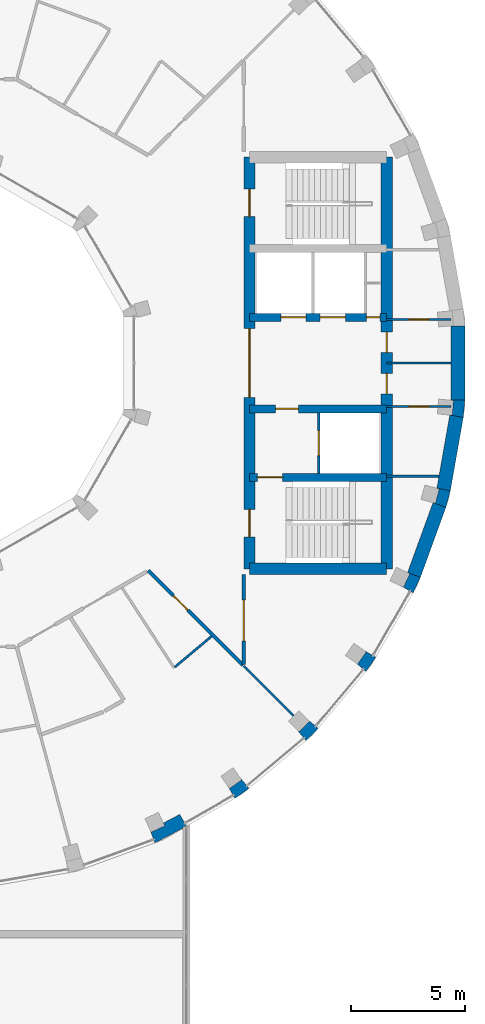
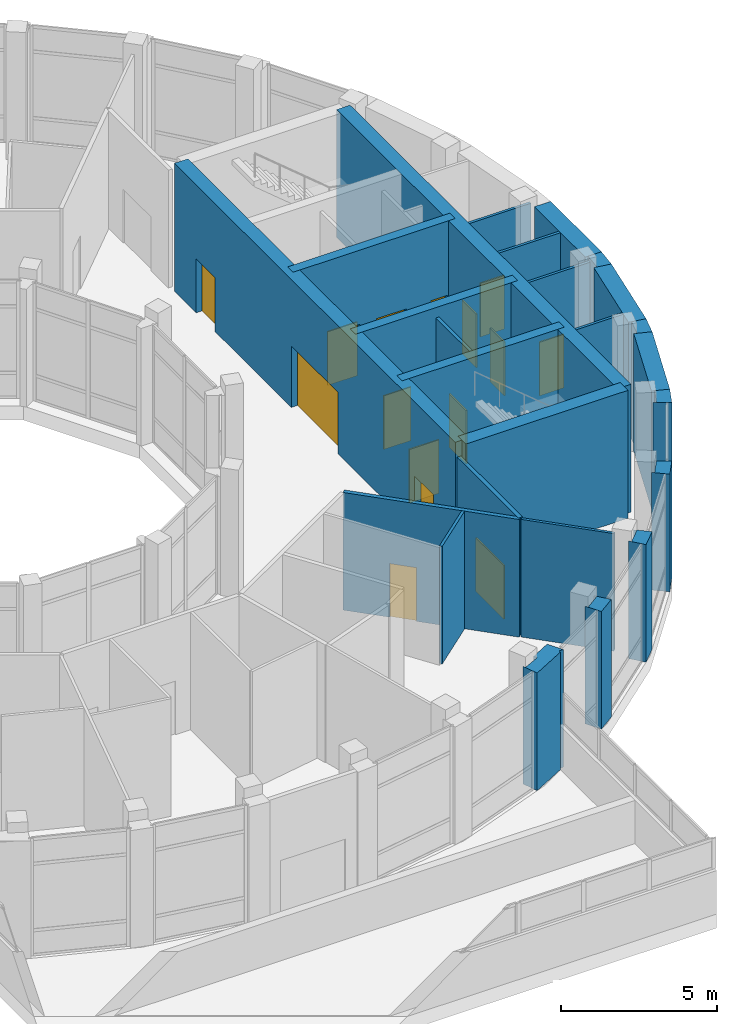
# One storey, part 15 of 19: 25 walls, 15 doors, 15 openings.
"""IFC4 building model written with IfcOpenShell, lengths in metres."""

import ifcopenshell
import ifcopenshell.guid

model = None  # the IFC model being written
_history = None  # IfcOwnerHistory: only IFC2X3 demands one
_inside = {}  # id of a spatial element -> (the spatial element, [elements in it])
_under = {}  # id of a project, library or spatial element -> (it, [spatial elements below it])
_declared = {}  # id of a project -> (the project, [libraries it declares])
_typed = {}  # id of a type object -> (the type object, [elements of that type])
_made_of = {}  # id of a material, layer set ... -> (it, [elements and type objects made of it])


def new_model(schema):
    """Start an empty IFC model of exactly this schema.

    Asked for "IFC4X3", IfcOpenShell would pick the latest addendum, in which some entities
    have other attributes; the version numbers below select the first issue.
    IFC2X3 requires an IfcOwnerHistory on every rooted entity: one is made here for all.
    """
    global model, _history
    if schema == "IFC4X3":
        model = ifcopenshell.file(schema_version=(4, 3, 0, 0))
    else:
        model = ifcopenshell.file(schema=schema)
    _inside.clear()
    _under.clear()
    _declared.clear()
    _typed.clear()
    _made_of.clear()
    _history = None
    if model.schema == "IFC2X3":
        org = make("IfcOrganization", Name="unknown")
        user = make(
            "IfcPersonAndOrganization",
            ThePerson=make("IfcPerson", FamilyName="unknown"),
            TheOrganization=org,
        )
        app = make(
            "IfcApplication",
            ApplicationDeveloper=org,
            Version="unknown",
            ApplicationFullName="unknown",
            ApplicationIdentifier="unknown",
        )
        _history = make(
            "IfcOwnerHistory",
            OwningUser=user,
            OwningApplication=app,
            ChangeAction="ADDED",
            CreationDate=0,
        )
    return model


def make(cls, **values):
    """One entity of the class cls with the attributes given. An attribute that is None is left unset."""
    return model.create_entity(
        cls, **{name: value for name, value in values.items() if value is not None}
    )


def rooted(cls, **values):
    """An entity with a GlobalId (a new one), such as an element, a storey or a relation."""
    return make(cls, GlobalId=ifcopenshell.guid.new(), OwnerHistory=_history, **values)


def si_unit(unit_type, name, prefix=None):
    """IfcSIUnit, for example si_unit("LENGTHUNIT", "METRE", prefix="MILLI")."""
    return make("IfcSIUnit", UnitType=unit_type, Prefix=prefix, Name=name)


def assignment(units):
    """IfcUnitAssignment: the units of a project."""
    return None if units is None else make("IfcUnitAssignment", Units=units)


def point(xyz):
    """IfcCartesianPoint."""
    return None if xyz is None else make("IfcCartesianPoint", Coordinates=xyz)


def direction(xyz):
    """IfcDirection."""
    return None if xyz is None else make("IfcDirection", DirectionRatios=xyz)


def frame(location, z_axis=None, x_axis=None):
    """IfcAxis2Placement3D, a coordinate frame: its origin and axes. An axis left out is left unset."""
    return make(
        "IfcAxis2Placement3D",
        Location=point(location),
        Axis=direction(z_axis),
        RefDirection=direction(x_axis),
    )


def frame_2d(location, x_axis=None):
    """IfcAxis2Placement2D, a coordinate frame in the plane: its origin and x axis."""
    return make(
        "IfcAxis2Placement2D", Location=point(location), RefDirection=direction(x_axis)
    )


def origin():
    """The frame at (0, 0, 0) with its axes left unset."""
    return frame((0.0, 0.0, 0.0))


def place(relative_to, where):
    """IfcLocalPlacement: puts the frame where relative to a parent placement (None: the world)."""
    return make(
        "IfcLocalPlacement", PlacementRelTo=relative_to, RelativePlacement=where
    )


def context(
    kind, dimensions, precision=None, world=None, true_north=None, identifier=None
):
    """IfcGeometricRepresentationContext, for example the 3D "Model" context."""
    return make(
        "IfcGeometricRepresentationContext",
        ContextIdentifier=identifier,
        ContextType=kind,
        CoordinateSpaceDimension=dimensions,
        Precision=precision,
        WorldCoordinateSystem=world,
        TrueNorth=true_north,
    )


def subcontext(parent, identifier, kind, view, scale=None):
    """IfcGeometricRepresentationSubContext, for example "Body" below "Model"."""
    return make(
        "IfcGeometricRepresentationSubContext",
        ContextIdentifier=identifier,
        ContextType=kind,
        ParentContext=parent,
        TargetScale=scale,
        TargetView=view,
    )


def project(units=None, contexts=None):
    """IfcProject with its units and contexts."""
    return rooted(
        "IfcProject",
        Name="project",
        RepresentationContexts=contexts,
        UnitsInContext=assignment(units),
    )


def spatial(cls, under=None, at=None, **own):
    """A site, building, storey or space (cls), placed at a placement, below another one or the project."""
    s = rooted(cls, ObjectPlacement=at, **own)
    if under is not None:
        _under.setdefault(under.id(), (under, []))[1].append(s)
    return s


def polyline(points):
    """IfcPolyline through the points."""
    return make("IfcPolyline", Points=[point(p) for p in points])


def profile(cls, at=None, kind="AREA", **sizes):
    """A parametric profile (cls). Its sizes go by their IFC names, for example OverallWidth=200.0."""
    return make(cls, ProfileType=kind, Position=at, **sizes)


def rectangle(**sizes):
    """IfcRectangleProfileDef."""
    return profile("IfcRectangleProfileDef", **sizes)


def outline(outer, holes=None, kind="AREA"):
    """IfcArbitraryClosedProfileDef: a profile drawn as a closed curve; with holes, ...WithVoids."""
    if holes is None:
        return make("IfcArbitraryClosedProfileDef", ProfileType=kind, OuterCurve=outer)
    return make(
        "IfcArbitraryProfileDefWithVoids",
        ProfileType=kind,
        OuterCurve=outer,
        InnerCurves=holes,
    )


def extrude(swept, where, along, depth):
    """IfcExtrudedAreaSolid: the profile swept, set in the frame where, extruded along a direction by depth."""
    return make(
        "IfcExtrudedAreaSolid",
        SweptArea=swept,
        Position=where,
        ExtrudedDirection=direction(along),
        Depth=depth,
    )


def shape(context_of_items, identifier, shape_type, items):
    """IfcShapeRepresentation: the items that make up one representation, for example the "Body"."""
    return make(
        "IfcShapeRepresentation",
        ContextOfItems=context_of_items,
        RepresentationIdentifier=identifier,
        RepresentationType=shape_type,
        Items=items,
    )


def material(Name=None, Category=None):
    """IfcMaterial."""
    return make("IfcMaterial", Name=Name, Category=Category)


def layer(
    of_material, thickness, ventilated=None, Name=None, Category=None, Priority=None
):
    """IfcMaterialLayer: one layer of a wall or slab, of a material (None: an air gap)."""
    return make(
        "IfcMaterialLayer",
        Material=of_material,
        LayerThickness=thickness,
        IsVentilated=ventilated,
        Name=Name,
        Category=Category,
        Priority=Priority,
    )


def layer_set(layers, Name=None):
    """IfcMaterialLayerSet."""
    return make("IfcMaterialLayerSet", MaterialLayers=layers, LayerSetName=Name)


def made_of(thing, what):
    """Note that an element or type object is made of a material, layer set ...; save() writes the relation."""
    if what is not None:
        _made_of.setdefault(what.id(), (what, []))[1].append(thing)
    return thing


def type_object(cls, material=None, **own):
    """A type object (cls), such as IfcWallType, which elements share."""
    return made_of(rooted(cls, **own), material)


def element(
    cls,
    number,
    at=None,
    inside=None,
    cuts=None,
    type_object=None,
    material=None,
    context=None,
    identifier="Body",
    shape_type=None,
    held_by="IfcProductDefinitionShape",
    body=None,
    shapes=None,
    **own,
):
    """One element of the class cls, such as IfcWall. Its Tag is "e" and its number.

    at: its placement. inside: the storey or other place that contains it. cuts: it is an
    opening in that element (IfcRelVoidsElement). A single representation is given by context,
    identifier, shape_type and body (its items); several are given by shapes. held_by: the class
    of the entity that holds the representations. save() writes the other relations.
    """
    e = rooted(cls, Tag="e%d" % number, ObjectPlacement=at, **own)
    if body is not None:
        shapes = [shape(context, identifier, shape_type, body)]
    if shapes is not None:
        e.Representation = make(held_by, Representations=shapes)
    if inside is not None:
        _inside.setdefault(inside.id(), (inside, []))[1].append(e)
    if cuts is not None:
        rooted(
            "IfcRelVoidsElement", RelatingBuildingElement=cuts, RelatedOpeningElement=e
        )
    if type_object is not None:
        _typed.setdefault(type_object.id(), (type_object, []))[1].append(e)
    return made_of(e, material)


def fill(opening, filler):
    """IfcRelFillsElement: the door or window that sits in an opening."""
    return rooted(
        "IfcRelFillsElement",
        RelatingOpeningElement=opening,
        RelatedBuildingElement=filler,
    )


def aggregate(whole, parts):
    """IfcRelAggregates: a whole, such as a stair, and the parts it consists of."""
    return rooted("IfcRelAggregates", RelatingObject=whole, RelatedObjects=parts)


def save(model, path):
    """Write the relations noted so far, then the file.

    IfcRelAggregates (storeys below a building ...), IfcRelContainedInSpatialStructure (elements
    in a storey), IfcRelDefinesByType, IfcRelAssociatesMaterial and IfcRelDeclares: one each for
    every whole, place, type object, material and project.
    """
    for whole, parts in _under.values():
        aggregate(whole, parts)
    for where, things in _inside.values():
        rooted(
            "IfcRelContainedInSpatialStructure",
            RelatedElements=things,
            RelatingStructure=where,
        )
    for kind, things in _typed.values():
        rooted("IfcRelDefinesByType", RelatedObjects=things, RelatingType=kind)
    for what, things in _made_of.values():
        rooted("IfcRelAssociatesMaterial", RelatedObjects=things, RelatingMaterial=what)
    for by, libraries in _declared.values():
        rooted("IfcRelDeclares", RelatingContext=by, RelatedDefinitions=libraries)
    model.write(path)


model = new_model("IFC4")

# Units and contexts
model_context = context("Model", 3, precision=1e-05, world=origin(), true_north=direction((0.0, 1.0)))
body_context = subcontext(model_context, "Body", "Model", "MODEL_VIEW")
ifc_project = project(units=[si_unit("LENGTHUNIT", "METRE"), si_unit("AREAUNIT", "SQUARE_METRE"), si_unit("VOLUMEUNIT", "CUBIC_METRE"), si_unit("PLANEANGLEUNIT", "RADIAN"), si_unit("MASSUNIT", "GRAM", prefix="KILO")], contexts=[model_context])

# Site, building, storey
site_placement = place(None, origin())
site = spatial("IfcSite", under=ifc_project, at=site_placement, CompositionType="ELEMENT")
building_placement = place(site_placement, origin())
building = spatial("IfcBuilding", under=site, at=building_placement, Name="Saqina Gate Tower", CompositionType="ELEMENT")
storey_placement = place(building_placement, frame((0.0, 0.0, 224.699951171875)))
storey = spatial("IfcBuildingStorey", under=building, at=storey_placement, Name="L64", CompositionType="ELEMENT", Elevation=224.699951171875)

# Walls
ifc_material_1 = material(Name="Brick masonry (buff)", Category="masonry")
wall_type_1 = type_object("IfcWallType", Name="BRICK PIER COPING BUFF", PredefinedType="SOLIDWALL", material=ifc_material_1)
wall_1_placement = place(storey_placement, origin())
element("IfcWall", 1, at=wall_1_placement, inside=storey, type_object=wall_type_1, Name="Pier cap L64 column 30", PredefinedType="SOLIDWALL", context=body_context, shape_type="SweptSolid", body=[
    extrude(outline(polyline([(9.1591796875, -20.410888671875), (9.3642578125, -20.974609375), (10.60009765625, -20.328857421875), (10.60009765625, -20.25048828125), (10.75, -20.25048828125), (10.449951171875, -19.73095703125), (9.73486328125, -20.107421875), (9.79296875, -20.23193359375), (9.203857421875, -20.506591796875), (9.1591796875, -20.410888671875)])), origin(), (0.0, 0.0, 1.0), 4.60009765625),
])
wall_2_placement = place(storey_placement, origin())
element("IfcWall", 2, at=wall_2_placement, inside=storey, type_object=wall_type_1, Name="Pier cap L64 column 31", PredefinedType="SOLIDWALL", context=body_context, shape_type="SweptSolid", body=[
    extrude(outline(polyline([(12.8642578125, -19.02978515625), (13.482421875, -18.59716796875), (13.0966796875, -18.137451171875), (13.157470703125, -18.22412109375), (12.625, -18.596923828125), (12.564208984375, -18.51025390625), (12.8642578125, -19.02978515625)])), origin(), (0.0, 0.0, 1.0), 4.60009765625),
])
wall_3_placement = place(storey_placement, origin())
element("IfcWall", 3, at=wall_3_placement, inside=storey, type_object=wall_type_1, Name="Pier cap L64 column 32", PredefinedType="SOLIDWALL", context=body_context, shape_type="SweptSolid", body=[
    extrude(outline(polyline([(16.5068359375, -15.973388671875), (16.04736328125, -15.587646484375), (16.1220703125, -15.662353515625), (15.662353515625, -16.1220703125), (15.587646484375, -16.04736328125), (15.973388671875, -16.5068359375), (16.5068359375, -15.973388671875)])), origin(), (0.0, 0.0, 1.0), 4.60009765625),
])
wall_4_placement = place(storey_placement, origin())
element("IfcWall", 4, at=wall_4_placement, inside=storey, type_object=wall_type_1, Name="Pier cap L64 column 33", PredefinedType="SOLIDWALL", context=body_context, shape_type="SweptSolid", body=[
    extrude(outline(polyline([(19.02978515625, -12.8642578125), (18.51025390625, -12.564208984375), (18.596923828125, -12.625), (18.22412109375, -13.157470703125), (18.137451171875, -13.0966796875), (18.59716796875, -13.482421875), (19.02978515625, -12.8642578125)])), origin(), (0.0, 0.0, 1.0), 4.60009765625),
])
wall_5_placement = place(storey_placement, origin())
element("IfcWall", 5, at=wall_5_placement, inside=storey, type_object=wall_type_1, Name="Pier cap L64 column 34", PredefinedType="SOLIDWALL", context=body_context, shape_type="SweptSolid", body=[
    extrude(outline(polyline([(20.65576171875, -10.048095703125), (20.974609375, -9.3642578125), (20.410888671875, -9.1591796875), (20.506591796875, -9.203857421875), (20.23193359375, -9.79296875), (20.135986328125, -9.748291015625), (20.65576171875, -10.048095703125)])), origin(), (0.0, 0.0, 1.0), 4.60009765625),
])
wall_6_placement = place(storey_placement, origin())
element("IfcWall", 6, at=wall_6_placement, inside=storey, type_object=wall_type_1, Name="Pier cap L64 column 35", PredefinedType="SOLIDWALL", context=body_context, shape_type="SweptSolid", body=[
    extrude(outline(polyline([(22.281982421875, -5.579833984375), (21.691162109375, -5.4755859375), (21.793212890625, -5.5029296875), (21.625, -6.130859375), (21.52294921875, -6.103515625), (22.0869140625, -6.30859375), (22.281982421875, -5.579833984375)])), origin(), (0.0, 0.0, 1.0), 4.60009765625),
])
wall_7_placement = place(storey_placement, origin())
element("IfcWall", 7, at=wall_7_placement, inside=storey, type_object=wall_type_1, Name="Pier cap L64 column 36", PredefinedType="SOLIDWALL", context=body_context, shape_type="SweptSolid", body=[
    extrude(outline(polyline([(22.8466796875, -2.377685546875), (22.91259765625, -1.625732421875), (22.3125, -1.625732421875), (22.417724609375, -1.635009765625), (22.361083984375, -2.28271484375), (22.255859375, -2.2734375), (22.8466796875, -2.377685546875)])), origin(), (0.0, 0.0, 1.0), 4.60009765625),
])

# Wall, opening, door
ifc_material_2 = material(Name="Gypsum board on steel studs", Category="steel")
ifc_layer_1 = layer(ifc_material_2, 0.10009765625)
ifc_layer_set_1 = layer_set([ifc_layer_1], Name="CORE PARTITION")
wall_type_2 = type_object("IfcWallType", Name="CORE PARTITION", PredefinedType="PARTITIONING", material=ifc_layer_set_1)
wall_8_placement = place(storey_placement, frame((19.5, 1.89990234375, 0.0), z_axis=(0.0, 0.0, 1.0), x_axis=(1.0, 0.0, 0.0)))
wall_8 = element("IfcWall", 8, at=wall_8_placement, inside=storey, type_object=wall_type_2, Name="L64-CP-E03", PredefinedType="PARTITIONING", context=body_context, shape_type="SweptSolid", body=[
    extrude(rectangle(XDim=2.8125, YDim=0.10009765625, at=frame_2d((1.40625, 0.0))), origin(), (0.0, 0.0, 1.0), 4.60009765625),
])
opening_1_placement = place(wall_8_placement, frame((0.956298828125, 0.0, 0.0)))
opening_1 = element("IfcOpeningElement", 9, at=opening_1_placement, cuts=wall_8, Name="Opening L64-D92", PredefinedType="OPENING", context=body_context, shape_type="SweptSolid", body=[
    extrude(rectangle(XDim=0.89990234375, YDim=2.10009765625, at=frame_2d((0.449951171875, 1.050048828125))), frame((0.0, 0.06201171875, 0.0), z_axis=(0.0, -1.0, 0.0), x_axis=(1.0, 0.0, 0.0)), (0.0, 0.0, 1.0), 0.1240234375),
])
ifc_material_3 = material(Name="Steel-framed fire door leaf, EI 60", Category="steel")
door_type_1 = type_object("IfcDoorType", Name="SERVICE ROOM DOOR 900", OperationType="SINGLE_SWING_LEFT", PredefinedType="DOOR", material=ifc_material_3)
door_1_placement = place(opening_1_placement, origin())
door_1 = element("IfcDoor", 10, at=door_1_placement, inside=storey, type_object=door_type_1, Name="L64-CD-E03", OperationType="SINGLE_SWING_RIGHT", OverallHeight=2.10009765625, OverallWidth=0.89990234375, PredefinedType="DOOR", context=body_context, shape_type="SweptSolid", body=[
    extrude(rectangle(XDim=0.89990234375, YDim=2.10009765625, at=frame_2d((0.449951171875, 1.050048828125))), frame((0.0, 0.02490234375, 0.0), z_axis=(0.0, -1.0, 0.0), x_axis=(1.0, 0.0, 0.0)), (0.0, 0.0, 1.0), 0.050048828125),
])
fill(opening_1, door_1)

# Wall
wall_9_placement = place(storey_placement, frame((19.5, -4.949951171875, 0.0), z_axis=(0.0, 0.0, 1.0), x_axis=(1.0, 0.0, 0.0)))
element("IfcWall", 11, at=wall_9_placement, inside=storey, type_object=wall_type_2, Name="L64-CP-E04", PredefinedType="PARTITIONING", context=body_context, shape_type="SweptSolid", body=[
    extrude(rectangle(XDim=2.283935546875, YDim=0.10009765625, at=frame_2d((1.14208984375, 0.0))), origin(), (0.0, 0.0, 1.0), 4.60009765625),
])

# Wall, opening, door
wall_10_placement = place(storey_placement, frame((19.5, -1.89990234375, 0.0), z_axis=(0.0, 0.0, 1.0), x_axis=(1.0, 0.0, 0.0)))
wall_10 = element("IfcWall", 12, at=wall_10_placement, inside=storey, type_object=wall_type_2, Name="L64-CP-E05", PredefinedType="PARTITIONING", context=body_context, shape_type="SweptSolid", body=[
    extrude(rectangle(XDim=2.8125, YDim=0.10009765625, at=frame_2d((1.40625, 0.0))), origin(), (0.0, 0.0, 1.0), 4.60009765625),
])
opening_2_placement = place(wall_10_placement, frame((0.956298828125, 0.0, 0.0)))
opening_2 = element("IfcOpeningElement", 13, at=opening_2_placement, cuts=wall_10, Name="Opening L64-D94", PredefinedType="OPENING", context=body_context, shape_type="SweptSolid", body=[
    extrude(rectangle(XDim=0.89990234375, YDim=2.10009765625, at=frame_2d((0.449951171875, 1.050048828125))), frame((0.0, 0.06201171875, 0.0), z_axis=(0.0, -1.0, 0.0), x_axis=(1.0, 0.0, 0.0)), (0.0, 0.0, 1.0), 0.1240234375),
])
door_2_placement = place(opening_2_placement, frame((0.89990234375, 0.0, 0.0), z_axis=(0.0, 0.0, 1.0), x_axis=(-1.0, 0.0, 0.0)))
door_2 = element("IfcDoor", 14, at=door_2_placement, inside=storey, type_object=door_type_1, Name="L64-CD-E05", OperationType="SINGLE_SWING_LEFT", OverallHeight=2.10009765625, OverallWidth=0.89990234375, PredefinedType="DOOR", context=body_context, shape_type="SweptSolid", body=[
    extrude(rectangle(XDim=0.89990234375, YDim=2.10009765625, at=frame_2d((0.449951171875, 1.050048828125))), frame((0.0, 0.02490234375, 0.0), z_axis=(0.0, -1.0, 0.0), x_axis=(1.0, 0.0, 0.0)), (0.0, 0.0, 1.0), 0.050048828125),
])
fill(opening_2, door_2)

# Walls
wall_11_placement = place(storey_placement, frame((19.5, 0.0, 0.0), z_axis=(0.0, 0.0, 1.0), x_axis=(1.0, 0.0, 0.0)))
element("IfcWall", 15, at=wall_11_placement, inside=storey, type_object=wall_type_2, Name="L64-CP-E06", PredefinedType="PARTITIONING", context=body_context, shape_type="SweptSolid", body=[
    extrude(rectangle(XDim=2.8125, YDim=0.10009765625, at=frame_2d((1.40625, 0.0))), origin(), (0.0, 0.0, 1.0), 4.60009765625),
])
ifc_material_4 = material(Name="Glazed ceramic tile", Category="ceramic")
ifc_layer_2 = layer(ifc_material_4, 0.60009765625)
ifc_layer_set_2 = layer_set([ifc_layer_2], Name="FW-TILE")
wall_type_3 = type_object("IfcWallType", Name="FW-TILE", PredefinedType="SOLIDWALL", material=ifc_layer_set_2)
wall_12_placement = place(storey_placement, frame((21.986572265625, -5.52783203125, 0.0), z_axis=(0.0, 0.0, 1.0), x_axis=(0.173656842178, 0.984806225186, 0.0)))
element("IfcWall", 16, at=wall_12_placement, inside=storey, type_object=wall_type_3, Name="Facade wall L64 facet 35", PredefinedType="SOLIDWALL", context=body_context, shape_type="SweptSolid", body=[
    extrude(rectangle(XDim=3.251708984375, YDim=0.60009765625, at=frame_2d((1.6259765625, 0.0))), origin(), (0.0, 0.0, 1.0), 4.60009765625),
])
ifc_material_5 = material(Name="Glazed ceramic tile (dark blue)", Category="ceramic")
ifc_layer_3 = layer(ifc_material_5, 0.60009765625)
ifc_layer_set_3 = layer_set([ifc_layer_3], Name="FW-TILE-CB")
wall_type_4 = type_object("IfcWallType", Name="FW-TILE-CB", PredefinedType="SOLIDWALL", material=ifc_layer_set_3)
wall_13_placement = place(storey_placement, frame((20.692626953125, -9.26171875, 0.0), z_axis=(0.0, 0.0, 1.0), x_axis=(0.342056509473, 0.939679383794, 0.0)))
element("IfcWall", 17, at=wall_13_placement, inside=storey, type_object=wall_type_4, Name="Facade wall L64 facet 34", PredefinedType="SOLIDWALL", context=body_context, shape_type="SweptSolid", body=[
    extrude(rectangle(XDim=3.251708984375, YDim=0.60009765625, at=frame_2d((1.6259765625, 0.0))), origin(), (0.0, 0.0, 1.0), 4.60009765625),
])
ifc_material_6 = material(Name="Glazed ceramic tile (white)", Category="ceramic")
ifc_layer_4 = layer(ifc_material_6, 0.60009765625)
ifc_layer_set_4 = layer_set([ifc_layer_4], Name="FW-TILE-WH")
wall_type_5 = type_object("IfcWallType", Name="FW-TILE-WH", PredefinedType="SOLIDWALL", material=ifc_layer_set_4)
wall_14_placement = place(storey_placement, frame((22.612548828125, -1.625732421875, 0.0), z_axis=(0.0, 0.0, 1.0), x_axis=(0.0, 1.0, 0.0)))
element("IfcWall", 18, at=wall_14_placement, inside=storey, type_object=wall_type_5, Name="Facade wall L64 facet 36", PredefinedType="SOLIDWALL", context=body_context, shape_type="SweptSolid", body=[
    extrude(rectangle(XDim=3.25146484375, YDim=0.60009765625, at=frame_2d((1.625732421875, 0.0))), origin(), (0.0, 0.0, 1.0), 4.60009765625),
])

# Wall, opening, door
ifc_material_7 = material(Name="Autoclaved aerated concrete block", Category="concrete")
ifc_layer_5 = layer(ifc_material_7, 0.1201171875)
ifc_layer_set_5 = layer_set([ifc_layer_5], Name="SHAFT PARTITION")
wall_type_6 = type_object("IfcWallType", Name="SHAFT PARTITION", PredefinedType="PARTITIONING", material=ifc_layer_set_5)
wall_15_placement = place(storey_placement, frame((16.530029296875, -4.824951171875, 0.0), z_axis=(0.0, 0.0, 1.0), x_axis=(0.0, 1.0, 0.0)))
wall_15 = element("IfcWall", 19, at=wall_15_placement, inside=storey, type_object=wall_type_6, Name="L64-CP-E09", PredefinedType="PARTITIONING", context=body_context, shape_type="SweptSolid", body=[
    extrude(rectangle(XDim=2.64990234375, YDim=0.1201171875, at=frame_2d((1.324951171875, 0.0))), origin(), (0.0, 0.0, 1.0), 4.60009765625),
])
opening_3_placement = place(wall_15_placement, frame((0.77490234375, 0.0, 0.0)))
opening_3 = element("IfcOpeningElement", 20, at=opening_3_placement, cuts=wall_15, Name="Opening L64-LD3", PredefinedType="OPENING", context=body_context, shape_type="SweptSolid", body=[
    extrude(rectangle(XDim=1.10009765625, YDim=2.10009765625, at=frame_2d((0.550048828125, 1.050048828125))), frame((0.0, 0.072021484375, 0.0), z_axis=(0.0, -1.0, 0.0), x_axis=(1.0, 0.0, 0.0)), (0.0, 0.0, 1.0), 0.14404296875),
])
ifc_material_8 = material(Name="Stainless steel", Category="steel")
door_type_2 = type_object("IfcDoorType", Name="LANDING DOOR", OperationType="DOUBLE_DOOR_SLIDING", PredefinedType="DOOR", material=ifc_material_8)
door_3_placement = place(opening_3_placement, origin())
door_3 = element("IfcDoor", 21, at=door_3_placement, inside=storey, type_object=door_type_2, Name="LANDING DOOR FF1", OperationType="DOUBLE_DOOR_SLIDING", OverallHeight=2.10009765625, OverallWidth=1.10009765625, PredefinedType="DOOR", context=body_context, shape_type="SweptSolid", body=[
    extrude(rectangle(XDim=1.10009765625, YDim=2.10009765625, at=frame_2d((0.550048828125, 1.050048828125))), frame((0.0, 0.02490234375, 0.0), z_axis=(0.0, -1.0, 0.0), x_axis=(1.0, 0.0, 0.0)), (0.0, 0.0, 1.0), 0.050048828125),
])
fill(opening_3, door_3)

# Walls
ifc_material_9 = material(Name="Gypsum board on steel studs, 100 mm", Category="steel")
ifc_layer_6 = layer(ifc_material_9, 0.10009765625)
ifc_layer_set_6 = layer_set([ifc_layer_6], Name="SPECIAL PARTITION 100")
wall_type_7 = type_object("IfcWallType", Name="SPECIAL PARTITION 100", PredefinedType="PARTITIONING", material=ifc_layer_set_6)
wall_16_placement = place(storey_placement, frame((13.25, -13.25, 0.0), z_axis=(0.0, 0.0, 1.0), x_axis=(0.707106781187, -0.707106781187, 0.0)))
element("IfcWall", 22, at=wall_16_placement, inside=storey, type_object=wall_type_7, Name="PARTITION 009", PredefinedType="PARTITIONING", context=body_context, shape_type="SweptSolid", body=[
    extrude(rectangle(XDim=3.07666015625, YDim=0.10009765625, at=frame_2d((1.538330078125, 0.0))), origin(), (0.0, 0.0, 1.0), 4.60009765625),
])
wall_17_placement = place(storey_placement, frame((10.2392578125, -13.289794921875, 0.0), z_axis=(0.0, 0.0, 1.0), x_axis=(0.766082082368, 0.642742750308, 0.0)))
element("IfcWall", 23, at=wall_17_placement, inside=storey, type_object=wall_type_7, Name="PARTITION 032", PredefinedType="PARTITIONING", context=body_context, shape_type="SweptSolid", body=[
    extrude(rectangle(XDim=2.09033203125, YDim=0.10009765625, at=frame_2d((1.045166015625, 0.0))), origin(), (0.0, 0.0, 1.0), 4.60009765625),
])

# Wall, opening, door
ifc_material_10 = material(Name="Gypsum board on steel studs, 150 mm, fire rated", Category="steel")
ifc_layer_7 = layer(ifc_material_10, 0.14990234375)
ifc_layer_set_7 = layer_set([ifc_layer_7], Name="SPECIAL PARTITION EI 30 150")
wall_type_8 = type_object("IfcWallType", Name="SPECIAL PARTITION EI 30 150", PredefinedType="PARTITIONING", material=ifc_layer_set_7)
wall_18_placement = place(storey_placement, frame((9.076904296875, -9.076904296875, 0.0), z_axis=(0.0, 0.0, 1.0), x_axis=(0.707106781187, -0.707106781187, 0.0)))
wall_18 = element("IfcWall", 24, at=wall_18_placement, inside=storey, type_object=wall_type_8, Name="PARTITION 011", PredefinedType="PARTITIONING", context=body_context, shape_type="SweptSolid", body=[
    extrude(rectangle(XDim=5.8515625, YDim=0.14990234375, at=frame_2d((2.92578125, 0.0))), origin(), (0.0, 0.0, 1.0), 4.60009765625),
])
opening_4_placement = place(wall_18_placement, frame((1.544677734375, 0.0, 0.0)))
opening_4 = element("IfcOpeningElement", 25, at=opening_4_placement, cuts=wall_18, Name="Opening L64-D21", PredefinedType="OPENING", context=body_context, shape_type="SweptSolid", body=[
    extrude(rectangle(XDim=0.89990234375, YDim=2.10009765625, at=frame_2d((0.449951171875, 1.050048828125))), frame((0.0, 0.0869140625, 0.0), z_axis=(0.0, -1.0, 0.0), x_axis=(1.0, 0.0, 0.0)), (0.0, 0.0, 1.0), 0.173828125),
])
ifc_material_11 = material(Name="Steel-framed fire door leaf, EI 30", Category="steel")
door_type_3 = type_object("IfcDoorType", Name="SPECIAL DOOR 900 FIRE EI 30", OperationType="SINGLE_SWING_LEFT", PredefinedType="DOOR", material=ifc_material_11)
door_4_placement = place(opening_4_placement, frame((0.89990234375, 0.0, 0.0), z_axis=(0.0, 0.0, 1.0), x_axis=(-1.0, 0.0, 0.0)))
door_4 = element("IfcDoor", 26, at=door_4_placement, inside=storey, type_object=door_type_3, Name="DOOR L64-D21", OperationType="SINGLE_SWING_RIGHT", OverallHeight=2.10009765625, OverallWidth=0.89990234375, PredefinedType="DOOR", context=body_context, shape_type="SweptSolid", body=[
    extrude(rectangle(XDim=0.89990234375, YDim=2.10009765625, at=frame_2d((0.449951171875, 1.050048828125))), frame((0.0, 0.02490234375, 0.0), z_axis=(0.0, -1.0, 0.0), x_axis=(1.0, 0.0, 0.0)), (0.0, 0.0, 1.0), 0.050048828125),
])
fill(opening_4, door_4)

wall_19_placement = place(storey_placement, frame((13.25, -13.175048828125, 0.0), z_axis=(0.0, 0.0, 1.0), x_axis=(0.0, 1.0, 0.0)))
wall_19 = element("IfcWall", 27, at=wall_19_placement, inside=storey, type_object=wall_type_8, Name="PARTITION 044", PredefinedType="PARTITIONING", context=body_context, shape_type="SweptSolid", body=[
    extrude(rectangle(XDim=3.925048828125, YDim=0.14990234375, at=frame_2d((1.96240234375, 0.0))), origin(), (0.0, 0.0, 1.0), 4.60009765625),
])
opening_5_placement = place(wall_19_placement, frame((1.02490234375, 0.0, 0.0)))
opening_5 = element("IfcOpeningElement", 28, at=opening_5_placement, cuts=wall_19, Name="Opening L64-D22", PredefinedType="OPENING", context=body_context, shape_type="SweptSolid", body=[
    extrude(rectangle(XDim=1.800048828125, YDim=2.10009765625, at=frame_2d((0.89990234375, 1.050048828125))), frame((0.0, 0.0869140625, 0.0), z_axis=(0.0, -1.0, 0.0), x_axis=(1.0, 0.0, 0.0)), (0.0, 0.0, 1.0), 0.173828125),
])
ifc_material_12 = material(Name="Steel-framed fire door leaf, EI 30", Category="steel")
door_type_4 = type_object("IfcDoorType", Name="SPECIAL DOUBLE DOOR 1800 FIRE EI 30", OperationType="DOUBLE_DOOR_SINGLE_SWING", PredefinedType="DOOR", material=ifc_material_12)
door_5_placement = place(opening_5_placement, frame((1.800048828125, 0.0, 0.0), z_axis=(0.0, 0.0, 1.0), x_axis=(-1.0, 0.0, 0.0)))
door_5 = element("IfcDoor", 29, at=door_5_placement, inside=storey, type_object=door_type_4, Name="DOOR L64-D22", OperationType="DOUBLE_DOOR_SINGLE_SWING", OverallHeight=2.10009765625, OverallWidth=1.800048828125, PredefinedType="DOOR", context=body_context, shape_type="SweptSolid", body=[
    extrude(rectangle(XDim=1.800048828125, YDim=2.10009765625, at=frame_2d((0.89990234375, 1.050048828125))), frame((0.0, 0.02490234375, 0.0), z_axis=(0.0, -1.0, 0.0), x_axis=(1.0, 0.0, 0.0)), (0.0, 0.0, 1.0), 0.050048828125),
])
fill(opening_5, door_5)

ifc_material_13 = material(Name="Concrete C60/75", Category="concrete")
ifc_layer_8 = layer(ifc_material_13, 0.35009765625)
ifc_layer_set_8 = layer_set([ifc_layer_8], Name="Concrete C60/75")
wall_type_9 = type_object("IfcWallType", Name="STR-CORE WALL-D-I", PredefinedType="SHEAR", material=ifc_layer_set_8)
wall_20_placement = place(storey_placement, frame((13.5, -5.0, 0.0), z_axis=(0.0, 0.0, 1.0), x_axis=(1.0, 0.0, 0.0)))
wall_20 = element("IfcWall", 30, at=wall_20_placement, inside=storey, type_object=wall_type_9, Name="CORE WALL L64 E-X2", PredefinedType="SHEAR", context=body_context, shape_type="SweptSolid", body=[
    extrude(rectangle(XDim=6.0, YDim=0.35009765625, at=frame_2d((3.0, 0.0))), origin(), (0.0, 0.0, 1.0), 5.0),
])
opening_6_placement = place(wall_20_placement, frame((0.35009765625, 0.0, 0.0)))
opening_6 = element("IfcOpeningElement", 31, at=opening_6_placement, cuts=wall_20, Name="Opening L64-D97", PredefinedType="OPENING", context=body_context, shape_type="SweptSolid", body=[
    extrude(rectangle(XDim=1.10009765625, YDim=2.10009765625, at=frame_2d((0.550048828125, 1.050048828125))), frame((0.0, 0.18701171875, 0.0), z_axis=(0.0, -1.0, 0.0), x_axis=(1.0, 0.0, 0.0)), (0.0, 0.0, 1.0), 0.3740234375),
])
ifc_material_14 = material(Name="Steel", Category="steel")
door_type_5 = type_object("IfcDoorType", Name="FIRE LOBBY DOOR EI 60 WIDE", OperationType="SINGLE_SWING_LEFT", PredefinedType="DOOR", material=ifc_material_14)
door_6_placement = place(opening_6_placement, frame((1.10009765625, 0.0, 0.0), z_axis=(0.0, 0.0, 1.0), x_axis=(-1.0, 0.0, 0.0)))
door_6 = element("IfcDoor", 32, at=door_6_placement, inside=storey, type_object=door_type_5, Name="L64-CD-E08", OperationType="SINGLE_SWING_RIGHT", OverallHeight=2.10009765625, OverallWidth=1.10009765625, PredefinedType="DOOR", context=body_context, shape_type="SweptSolid", body=[
    extrude(rectangle(XDim=1.10009765625, YDim=2.10009765625, at=frame_2d((0.550048828125, 1.050048828125))), frame((0.0, 0.02490234375, 0.0), z_axis=(0.0, -1.0, 0.0), x_axis=(1.0, 0.0, 0.0)), (0.0, 0.0, 1.0), 0.050048828125),
])
fill(opening_6, door_6)

# Wall, openings, doors
wall_21_placement = place(storey_placement, frame((13.5, 2.0, 0.0), z_axis=(0.0, 0.0, 1.0), x_axis=(1.0, 0.0, 0.0)))
wall_21 = element("IfcWall", 33, at=wall_21_placement, inside=storey, type_object=wall_type_9, Name="CORE WALL L64 E-L1", PredefinedType="SHEAR", context=body_context, shape_type="SweptSolid", body=[
    extrude(rectangle(XDim=6.0, YDim=0.35009765625, at=frame_2d((3.0, 0.0))), origin(), (0.0, 0.0, 1.0), 5.0),
])
opening_7_placement = place(wall_21_placement, frame((1.3701171875, 0.0, 0.0)))
opening_7 = element("IfcOpeningElement", 34, at=opening_7_placement, cuts=wall_21, Name="Opening L64-LD1", PredefinedType="OPENING", context=body_context, shape_type="SweptSolid", body=[
    extrude(rectangle(XDim=1.10009765625, YDim=2.10009765625, at=frame_2d((0.550048828125, 1.050048828125))), frame((0.0, 0.18701171875, 0.0), z_axis=(0.0, -1.0, 0.0), x_axis=(1.0, 0.0, 0.0)), (0.0, 0.0, 1.0), 0.3740234375),
])
opening_8_placement = place(wall_21_placement, frame((3.090087890625, 0.0, 0.0)))
opening_8 = element("IfcOpeningElement", 35, at=opening_8_placement, cuts=wall_21, Name="Opening L64-LD2", PredefinedType="OPENING", context=body_context, shape_type="SweptSolid", body=[
    extrude(rectangle(XDim=1.10009765625, YDim=2.10009765625, at=frame_2d((0.550048828125, 1.050048828125))), frame((0.0, 0.18701171875, 0.0), z_axis=(0.0, -1.0, 0.0), x_axis=(1.0, 0.0, 0.0)), (0.0, 0.0, 1.0), 0.3740234375),
])
opening_9_placement = place(wall_21_placement, frame((5.10498046875, 0.0, 0.0)))
opening_9 = element("IfcOpeningElement", 36, at=opening_9_placement, cuts=wall_21, Name="Opening L64-D90", PredefinedType="OPENING", context=body_context, shape_type="SweptSolid", body=[
    extrude(rectangle(XDim=0.60009765625, YDim=2.10009765625, at=frame_2d((0.300048828125, 1.050048828125))), frame((0.0, 0.18701171875, 0.0), z_axis=(0.0, -1.0, 0.0), x_axis=(1.0, 0.0, 0.0)), (0.0, 0.0, 1.0), 0.3740234375),
])
door_7_placement = place(opening_7_placement, origin())
door_7 = element("IfcDoor", 37, at=door_7_placement, inside=storey, type_object=door_type_2, Name="LANDING DOOR HR1", OperationType="DOUBLE_DOOR_SLIDING", OverallHeight=2.10009765625, OverallWidth=1.10009765625, PredefinedType="DOOR", context=body_context, shape_type="SweptSolid", body=[
    extrude(rectangle(XDim=1.10009765625, YDim=2.10009765625, at=frame_2d((0.550048828125, 1.050048828125))), frame((0.0, 0.02490234375, 0.0), z_axis=(0.0, -1.0, 0.0), x_axis=(1.0, 0.0, 0.0)), (0.0, 0.0, 1.0), 0.050048828125),
])
fill(opening_7, door_7)
door_8_placement = place(opening_8_placement, origin())
door_8 = element("IfcDoor", 38, at=door_8_placement, inside=storey, type_object=door_type_2, Name="LANDING DOOR HR2", OperationType="DOUBLE_DOOR_SLIDING", OverallHeight=2.10009765625, OverallWidth=1.10009765625, PredefinedType="DOOR", context=body_context, shape_type="SweptSolid", body=[
    extrude(rectangle(XDim=1.10009765625, YDim=2.10009765625, at=frame_2d((0.550048828125, 1.050048828125))), frame((0.0, 0.02490234375, 0.0), z_axis=(0.0, -1.0, 0.0), x_axis=(1.0, 0.0, 0.0)), (0.0, 0.0, 1.0), 0.050048828125),
])
fill(opening_8, door_8)
ifc_material_15 = material(Name="Steel-framed fire door leaf, EI 60", Category="steel")
door_type_6 = type_object("IfcDoorType", Name="SERVICE ROOM DOOR 600", OperationType="SINGLE_SWING_LEFT", PredefinedType="DOOR", material=ifc_material_15)
door_9_placement = place(opening_9_placement, origin())
door_9 = element("IfcDoor", 39, at=door_9_placement, inside=storey, type_object=door_type_6, Name="L64-CD-E01", OperationType="SINGLE_SWING_RIGHT", OverallHeight=2.10009765625, OverallWidth=0.60009765625, PredefinedType="DOOR", context=body_context, shape_type="SweptSolid", body=[
    extrude(rectangle(XDim=0.60009765625, YDim=2.10009765625, at=frame_2d((0.300048828125, 1.050048828125))), frame((0.0, 0.02490234375, 0.0), z_axis=(0.0, -1.0, 0.0), x_axis=(1.0, 0.0, 0.0)), (0.0, 0.0, 1.0), 0.050048828125),
])
fill(opening_9, door_9)

# Wall, opening, door
wall_22_placement = place(storey_placement, frame((13.5, -2.0, 0.0), z_axis=(0.0, 0.0, 1.0), x_axis=(1.0, 0.0, 0.0)))
wall_22 = element("IfcWall", 40, at=wall_22_placement, inside=storey, type_object=wall_type_9, Name="CORE WALL L64 E-L2", PredefinedType="SHEAR", context=body_context, shape_type="SweptSolid", body=[
    extrude(rectangle(XDim=6.0, YDim=0.35009765625, at=frame_2d((3.0, 0.0))), origin(), (0.0, 0.0, 1.0), 5.0),
])
opening_10_placement = place(wall_22_placement, frame((1.139892578125, 0.0, 0.0)))
opening_10 = element("IfcOpeningElement", 41, at=opening_10_placement, cuts=wall_22, Name="Opening L64-D91", PredefinedType="OPENING", context=body_context, shape_type="SweptSolid", body=[
    extrude(rectangle(XDim=1.0, YDim=2.10009765625, at=frame_2d((0.5, 1.050048828125))), frame((0.0, 0.18701171875, 0.0), z_axis=(0.0, -1.0, 0.0), x_axis=(1.0, 0.0, 0.0)), (0.0, 0.0, 1.0), 0.3740234375),
])
ifc_material_16 = material(Name="Steel", Category="steel")
door_type_7 = type_object("IfcDoorType", Name="FIRE LOBBY DOOR EI 60", OperationType="SINGLE_SWING_LEFT", PredefinedType="DOOR", material=ifc_material_16)
door_10_placement = place(opening_10_placement, origin())
door_10 = element("IfcDoor", 42, at=door_10_placement, inside=storey, type_object=door_type_7, Name="L64-CD-E02", OperationType="SINGLE_SWING_LEFT", OverallHeight=2.10009765625, OverallWidth=1.0, PredefinedType="DOOR", context=body_context, shape_type="SweptSolid", body=[
    extrude(rectangle(XDim=1.0, YDim=2.10009765625, at=frame_2d((0.5, 1.050048828125))), frame((0.0, 0.02490234375, 0.0), z_axis=(0.0, -1.0, 0.0), x_axis=(1.0, 0.0, 0.0)), (0.0, 0.0, 1.0), 0.050048828125),
])
fill(opening_10, door_10)

# Wall, openings, doors
ifc_material_17 = material(Name="Concrete C60/75", Category="concrete")
ifc_layer_9 = layer(ifc_material_17, 0.5)
ifc_layer_set_9 = layer_set([ifc_layer_9], Name="Concrete C60/75")
wall_type_10 = type_object("IfcWallType", Name="STR-CORE WALL-D-O", PredefinedType="SHEAR", material=ifc_layer_set_9)
wall_23_placement = place(storey_placement, frame((13.5, -9.0, 0.0), z_axis=(0.0, 0.0, 1.0), x_axis=(0.0, 1.0, 0.0)))
wall_23 = element("IfcWall", 43, at=wall_23_placement, inside=storey, type_object=wall_type_10, Name="CORE WALL L64 E-W1", PredefinedType="SHEAR", context=body_context, shape_type="SweptSolid", body=[
    extrude(rectangle(XDim=18.0, YDim=0.5, at=frame_2d((9.0, 0.0))), origin(), (0.0, 0.0, 1.0), 5.0),
])
opening_11_placement = place(wall_23_placement, frame((15.39990234375, 0.0, 0.0)))
opening_11 = element("IfcOpeningElement", 44, at=opening_11_placement, cuts=wall_23, Name="Opening L64-D98", PredefinedType="OPENING", context=body_context, shape_type="SweptSolid", body=[
    extrude(rectangle(XDim=1.199951171875, YDim=2.10009765625, at=frame_2d((0.60009765625, 1.050048828125))), frame((0.0, 0.261962890625, 0.0), z_axis=(0.0, -1.0, 0.0), x_axis=(1.0, 0.0, 0.0)), (0.0, 0.0, 1.0), 0.52392578125),
])
opening_12_placement = place(wall_23_placement, frame((1.39990234375, 0.0, 0.0)))
opening_12 = element("IfcOpeningElement", 45, at=opening_12_placement, cuts=wall_23, Name="Opening L64-D99", PredefinedType="OPENING", context=body_context, shape_type="SweptSolid", body=[
    extrude(rectangle(XDim=1.199951171875, YDim=2.10009765625, at=frame_2d((0.60009765625, 1.050048828125))), frame((0.0, 0.261962890625, 0.0), z_axis=(0.0, -1.0, 0.0), x_axis=(1.0, 0.0, 0.0)), (0.0, 0.0, 1.0), 0.52392578125),
])
opening_13_placement = place(wall_23_placement, frame((7.5, 0.0, 0.0)))
opening_13 = element("IfcOpeningElement", 46, at=opening_13_placement, cuts=wall_23, Name="Opening L64-D100", PredefinedType="OPENING", context=body_context, shape_type="SweptSolid", body=[
    extrude(rectangle(XDim=3.0, YDim=2.39990234375, at=frame_2d((1.5, 1.199951171875))), frame((0.0, 0.261962890625, 0.0), z_axis=(0.0, -1.0, 0.0), x_axis=(1.0, 0.0, 0.0)), (0.0, 0.0, 1.0), 0.52392578125),
])
ifc_material_18 = material(Name="Steel", Category="steel")
door_type_8 = type_object("IfcDoorType", Name="FIRE DOOR EI 60", OperationType="SINGLE_SWING_LEFT", PredefinedType="DOOR", material=ifc_material_18)
door_11_placement = place(opening_11_placement, frame((1.199951171875, 0.0, 0.0), z_axis=(0.0, 0.0, 1.0), x_axis=(-1.0, 0.0, 0.0)))
door_11 = element("IfcDoor", 47, at=door_11_placement, inside=storey, type_object=door_type_8, Name="L64-CD-E09", OperationType="SINGLE_SWING_LEFT", OverallHeight=2.10009765625, OverallWidth=1.199951171875, PredefinedType="DOOR", context=body_context, shape_type="SweptSolid", body=[
    extrude(rectangle(XDim=1.199951171875, YDim=2.10009765625, at=frame_2d((0.60009765625, 1.050048828125))), frame((0.0, 0.02490234375, 0.0), z_axis=(0.0, -1.0, 0.0), x_axis=(1.0, 0.0, 0.0)), (0.0, 0.0, 1.0), 0.050048828125),
])
fill(opening_11, door_11)
door_12_placement = place(opening_12_placement, frame((1.199951171875, 0.0, 0.0), z_axis=(0.0, 0.0, 1.0), x_axis=(-1.0, 0.0, 0.0)))
door_12 = element("IfcDoor", 48, at=door_12_placement, inside=storey, type_object=door_type_8, Name="L64-CD-E10", OperationType="SINGLE_SWING_RIGHT", OverallHeight=2.10009765625, OverallWidth=1.199951171875, PredefinedType="DOOR", context=body_context, shape_type="SweptSolid", body=[
    extrude(rectangle(XDim=1.199951171875, YDim=2.10009765625, at=frame_2d((0.60009765625, 1.050048828125))), frame((0.0, 0.02490234375, 0.0), z_axis=(0.0, -1.0, 0.0), x_axis=(1.0, 0.0, 0.0)), (0.0, 0.0, 1.0), 0.050048828125),
])
fill(opening_12, door_12)
ifc_material_19 = material(Name="Steel and fire-resisting glass", Category="steel")
door_type_9 = type_object("IfcDoorType", Name="LOBBY SCREEN DOOR", OperationType="DOUBLE_DOOR_SLIDING", PredefinedType="DOOR", material=ifc_material_19)
door_13_placement = place(opening_13_placement, origin())
door_13 = element("IfcDoor", 49, at=door_13_placement, inside=storey, type_object=door_type_9, Name="L64-CD-E11", OperationType="DOUBLE_DOOR_SLIDING", OverallHeight=2.39990234375, OverallWidth=3.0, PredefinedType="DOOR", context=body_context, shape_type="SweptSolid", body=[
    extrude(rectangle(XDim=3.0, YDim=2.39990234375, at=frame_2d((1.5, 1.199951171875))), frame((0.0, 0.02490234375, 0.0), z_axis=(0.0, -1.0, 0.0), x_axis=(1.0, 0.0, 0.0)), (0.0, 0.0, 1.0), 0.050048828125),
])
fill(opening_13, door_13)

wall_24_placement = place(storey_placement, frame((19.5, -9.0, 0.0), z_axis=(0.0, 0.0, 1.0), x_axis=(0.0, 1.0, 0.0)))
wall_24 = element("IfcWall", 50, at=wall_24_placement, inside=storey, type_object=wall_type_10, Name="CORE WALL L64 E-W2", PredefinedType="SHEAR", context=body_context, shape_type="SweptSolid", body=[
    extrude(rectangle(XDim=18.0, YDim=0.5, at=frame_2d((9.0, 0.0))), origin(), (0.0, 0.0, 1.0), 5.0),
])
opening_14_placement = place(wall_24_placement, frame((9.449951171875, 0.0, 0.0)))
opening_14 = element("IfcOpeningElement", 51, at=opening_14_placement, cuts=wall_24, Name="Opening L64-D93", PredefinedType="OPENING", context=body_context, shape_type="SweptSolid", body=[
    extrude(rectangle(XDim=0.89990234375, YDim=2.10009765625, at=frame_2d((0.449951171875, 1.050048828125))), frame((0.0, 0.261962890625, 0.0), z_axis=(0.0, -1.0, 0.0), x_axis=(1.0, 0.0, 0.0)), (0.0, 0.0, 1.0), 0.52392578125),
])
opening_15_placement = place(wall_24_placement, frame((7.64990234375, 0.0, 0.0)))
opening_15 = element("IfcOpeningElement", 52, at=opening_15_placement, cuts=wall_24, Name="Opening L64-D95", PredefinedType="OPENING", context=body_context, shape_type="SweptSolid", body=[
    extrude(rectangle(XDim=0.89990234375, YDim=2.10009765625, at=frame_2d((0.449951171875, 1.050048828125))), frame((0.0, 0.261962890625, 0.0), z_axis=(0.0, -1.0, 0.0), x_axis=(1.0, 0.0, 0.0)), (0.0, 0.0, 1.0), 0.52392578125),
])
door_14_placement = place(opening_14_placement, frame((0.89990234375, 0.0, 0.0), z_axis=(0.0, 0.0, 1.0), x_axis=(-1.0, 0.0, 0.0)))
door_14 = element("IfcDoor", 53, at=door_14_placement, inside=storey, type_object=door_type_1, Name="L64-CD-E04", OperationType="SINGLE_SWING_LEFT", OverallHeight=2.10009765625, OverallWidth=0.89990234375, PredefinedType="DOOR", context=body_context, shape_type="SweptSolid", body=[
    extrude(rectangle(XDim=0.89990234375, YDim=2.10009765625, at=frame_2d((0.449951171875, 1.050048828125))), frame((0.0, 0.02490234375, 0.0), z_axis=(0.0, -1.0, 0.0), x_axis=(1.0, 0.0, 0.0)), (0.0, 0.0, 1.0), 0.050048828125),
])
fill(opening_14, door_14)
door_15_placement = place(opening_15_placement, frame((0.89990234375, 0.0, 0.0), z_axis=(0.0, 0.0, 1.0), x_axis=(-1.0, 0.0, 0.0)))
door_15 = element("IfcDoor", 54, at=door_15_placement, inside=storey, type_object=door_type_1, Name="L64-CD-E06", OperationType="SINGLE_SWING_RIGHT", OverallHeight=2.10009765625, OverallWidth=0.89990234375, PredefinedType="DOOR", context=body_context, shape_type="SweptSolid", body=[
    extrude(rectangle(XDim=0.89990234375, YDim=2.10009765625, at=frame_2d((0.449951171875, 1.050048828125))), frame((0.0, 0.02490234375, 0.0), z_axis=(0.0, -1.0, 0.0), x_axis=(1.0, 0.0, 0.0)), (0.0, 0.0, 1.0), 0.050048828125),
])
fill(opening_15, door_15)

# Wall
wall_25_placement = place(storey_placement, frame((13.5, -9.0, 0.0), z_axis=(0.0, 0.0, 1.0), x_axis=(1.0, 0.0, 0.0)))
element("IfcWall", 55, at=wall_25_placement, inside=storey, type_object=wall_type_10, Name="CORE WALL L64 E-SE", PredefinedType="SHEAR", context=body_context, shape_type="SweptSolid", body=[
    extrude(rectangle(XDim=6.0, YDim=0.5, at=frame_2d((3.0, 0.0))), origin(), (0.0, 0.0, 1.0), 5.0),
])

save(model, "model.ifc")
